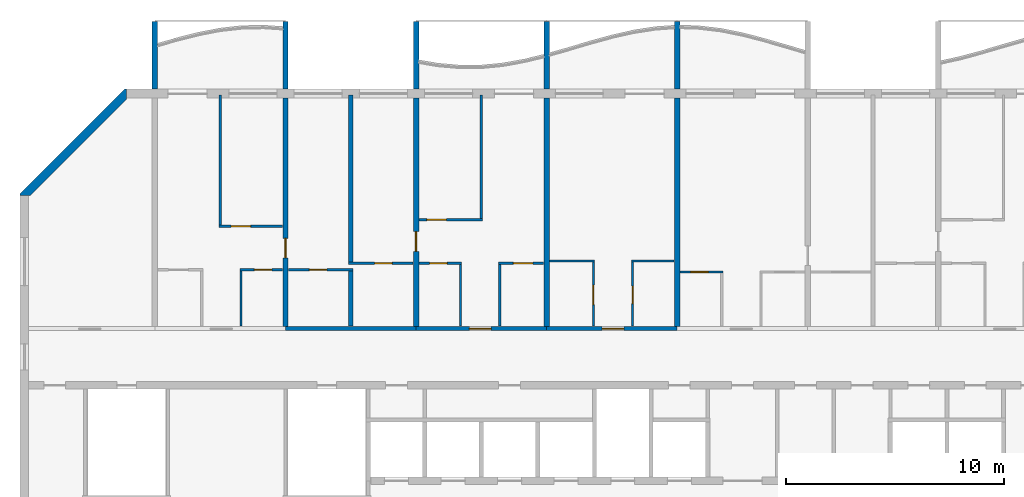
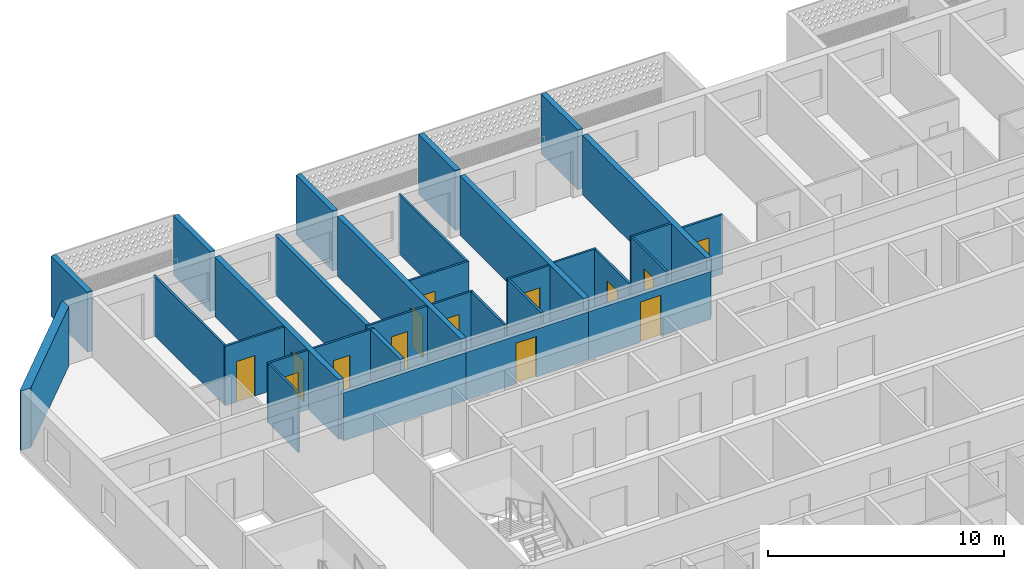
# One storey, part 8 of 29: 32 walls, 14 doors, 14 openings.
"""IFC4 building model written with IfcOpenShell, lengths in metres."""

from ifc_helpers import new_model, si_unit, direction, frame, frame_2d, origin, place, context, subcontext, project, spatial, polyline, rectangle, outline, extrude, source, transform, mapped, material, layer, layer_set, type_object, element, fill, save


model = new_model("IFC4")

# Units and contexts
model_context = context("Model", 3, precision=1e-05, world=origin(), true_north=direction((0.0, 1.0)))
body_context = subcontext(model_context, "Body", "Model", "MODEL_VIEW")
ifc_project = project(units=[si_unit("LENGTHUNIT", "METRE"), si_unit("AREAUNIT", "SQUARE_METRE"), si_unit("VOLUMEUNIT", "CUBIC_METRE"), si_unit("PLANEANGLEUNIT", "RADIAN"), si_unit("MASSUNIT", "GRAM", prefix="KILO")], contexts=[model_context])

# Site, building, storey
site_placement = place(None, origin())
site = spatial("IfcSite", under=ifc_project, at=site_placement, CompositionType="ELEMENT")
building_placement = place(site_placement, origin())
building = spatial("IfcBuilding", under=site, at=building_placement, Name="Poui Terraces", CompositionType="ELEMENT")
storey_placement = place(building_placement, frame((0.0, 0.0, 234.60009765625)))
storey = spatial("IfcBuildingStorey", under=building, at=storey_placement, Name="L65", CompositionType="ELEMENT", Elevation=234.60009765625)

# Wall
ifc_material_1 = material(Name="Concrete 50 MPa", Category="concrete")
ifc_layer_1 = layer(ifc_material_1, 0.199951171875)
ifc_layer_set_1 = layer_set([ifc_layer_1], Name="Concrete 50 MPa")
wall_type_1 = type_object("IfcWallType", Name="CORRIDOR WALL 200 50MPa", PredefinedType="SHEAR", material=ifc_layer_set_1)
wall_1_placement = place(storey_placement, frame((30.0, 30.39990234375, 0.0), z_axis=(0.0, 0.0, 1.0), x_axis=(1.0, 0.0, 0.0)))
element("IfcWall", 1, at=wall_1_placement, inside=storey, type_object=wall_type_1, Name="CORRIDOR WALL LINE E BAY 3", PredefinedType="SHEAR", context=body_context, shape_type="SweptSolid", body=[
    extrude(rectangle(XDim=6.0, YDim=0.199951171875, at=frame_2d((3.0, 0.0))), origin(), (0.0, 0.0, 1.0), 2.47998046875),
])

# Wall, opening, door
wall_2_placement = place(storey_placement, frame((36.0, 30.39990234375, 0.0), z_axis=(0.0, 0.0, 1.0), x_axis=(1.0, 0.0, 0.0)))
wall_2 = element("IfcWall", 2, at=wall_2_placement, inside=storey, type_object=wall_type_1, Name="CORRIDOR WALL LINE E BAY 4", PredefinedType="SHEAR", context=body_context, shape_type="SweptSolid", body=[
    extrude(rectangle(XDim=6.0, YDim=0.199951171875, at=frame_2d((3.0, 0.0))), origin(), (0.0, 0.0, 1.0), 2.47998046875),
])
opening_1_placement = place(wall_2_placement, frame((2.449951171875, 0.0, 0.0)))
opening_1 = element("IfcOpeningElement", 3, at=opening_1_placement, cuts=wall_2, Name="Opening FD30S", PredefinedType="OPENING", context=body_context, shape_type="SweptSolid", body=[
    extrude(rectangle(XDim=1.0, YDim=2.10009765625, at=frame_2d((0.5, 1.050048828125))), frame((0.0, 0.10986328125, 0.0), z_axis=(0.0, -1.0, 0.0), x_axis=(1.0, 0.0, 0.0)), (0.0, 0.0, 1.0), 0.219970703125),
])
ifc_material_2 = material(Name="Steel fire door", Category="steel")
door_type_1 = type_object("IfcDoorType", Name="FLAT ENTRANCE DOOR 1000 X 2100", OperationType="NOTDEFINED", PredefinedType="DOOR", material=ifc_material_2)
door_1_placement = place(opening_1_placement, origin())
door_1 = element("IfcDoor", 4, at=door_1_placement, inside=storey, type_object=door_type_1, Name="FLAT ENTRANCE DOOR 039", OperationType="SINGLE_SWING_LEFT", OverallHeight=2.10009765625, OverallWidth=1.0, PredefinedType="DOOR", context=body_context, shape_type="SweptSolid", body=[
    extrude(rectangle(XDim=1.0, YDim=2.10009765625, at=frame_2d((0.5, 1.050048828125))), frame((0.0, 0.02490234375, 0.0), z_axis=(0.0, -1.0, 0.0), x_axis=(1.0, 0.0, 0.0)), (0.0, 0.0, 1.0), 0.050048828125),
])
fill(opening_1, door_1)

wall_3_placement = place(storey_placement, frame((42.0, 30.39990234375, 0.0), z_axis=(0.0, 0.0, 1.0), x_axis=(1.0, 0.0, 0.0)))
wall_3 = element("IfcWall", 5, at=wall_3_placement, inside=storey, type_object=wall_type_1, Name="CORRIDOR WALL LINE E BAY 5", PredefinedType="SHEAR", context=body_context, shape_type="SweptSolid", body=[
    extrude(rectangle(XDim=6.0, YDim=0.199951171875, at=frame_2d((3.0, 0.0))), origin(), (0.0, 0.0, 1.0), 2.47998046875),
])
opening_2_placement = place(wall_3_placement, frame((2.550048828125, 0.0, 0.0)))
opening_2 = element("IfcOpeningElement", 6, at=opening_2_placement, cuts=wall_3, Name="Opening FD30S", PredefinedType="OPENING", context=body_context, shape_type="SweptSolid", body=[
    extrude(rectangle(XDim=1.0, YDim=2.10009765625, at=frame_2d((0.5, 1.050048828125))), frame((0.0, 0.10986328125, 0.0), z_axis=(0.0, -1.0, 0.0), x_axis=(1.0, 0.0, 0.0)), (0.0, 0.0, 1.0), 0.219970703125),
])
door_2_placement = place(opening_2_placement, origin())
door_2 = element("IfcDoor", 7, at=door_2_placement, inside=storey, type_object=door_type_1, Name="FLAT ENTRANCE DOOR 042", OperationType="SINGLE_SWING_RIGHT", OverallHeight=2.10009765625, OverallWidth=1.0, PredefinedType="DOOR", context=body_context, shape_type="SweptSolid", body=[
    extrude(rectangle(XDim=1.0, YDim=2.10009765625, at=frame_2d((0.5, 1.050048828125))), frame((0.0, 0.02490234375, 0.0), z_axis=(0.0, -1.0, 0.0), x_axis=(1.0, 0.0, 0.0)), (0.0, 0.0, 1.0), 0.050048828125),
])
fill(opening_2, door_2)

ifc_layer_2 = layer(ifc_material_1, 0.25)
ifc_layer_set_2 = layer_set([ifc_layer_2], Name="Concrete 50 MPa")
wall_type_2 = type_object("IfcWallType", Name="CROSS WALL 250 50MPa", PredefinedType="SHEAR", material=ifc_layer_set_2)
wall_4_placement = place(storey_placement, frame((30.0, 30.5, 0.0), z_axis=(0.0, 0.0, 1.0), x_axis=(0.0, 1.0, 0.0)))
wall_4 = element("IfcWall", 8, at=wall_4_placement, inside=storey, type_object=wall_type_2, Name="CROSS WALL LINE 6 NORTH", PredefinedType="SHEAR", context=body_context, shape_type="SweptSolid", body=[
    extrude(rectangle(XDim=10.5, YDim=0.25, at=frame_2d((5.25, 0.0))), origin(), (0.0, 0.0, 1.0), 3.079833984375),
])
opening_3_placement = place(wall_4_placement, frame((3.14990234375, 0.0, 0.0)))
opening_3 = element("IfcOpeningElement", 9, at=opening_3_placement, cuts=wall_4, Name="Opening D90", PredefinedType="OPENING", context=body_context, shape_type="SweptSolid", body=[
    extrude(rectangle(XDim=0.89990234375, YDim=2.10009765625, at=frame_2d((0.449951171875, 1.050048828125))), frame((0.0, 0.135009765625, 0.0), z_axis=(0.0, -1.0, 0.0), x_axis=(1.0, 0.0, 0.0)), (0.0, 0.0, 1.0), 0.27001953125),
])
ifc_material_3 = material(Name="Solid core timber door", Category="wood")
door_type_2 = type_object("IfcDoorType", Name="INTERNAL DOOR 900 X 2100", OperationType="NOTDEFINED", PredefinedType="DOOR", material=ifc_material_3)
door_3_placement = place(opening_3_placement, frame((0.89990234375, 0.0, 0.0), z_axis=(0.0, 0.0, 1.0), x_axis=(-1.0, 0.0, 0.0)))
door_3 = element("IfcDoor", 10, at=door_3_placement, inside=storey, type_object=door_type_2, Name="INTERNAL DOOR 034", OperationType="SINGLE_SWING_RIGHT", OverallHeight=2.10009765625, OverallWidth=0.89990234375, PredefinedType="DOOR", context=body_context, shape_type="SweptSolid", body=[
    extrude(rectangle(XDim=0.89990234375, YDim=2.10009765625, at=frame_2d((0.449951171875, 1.050048828125))), frame((0.0, 0.02490234375, 0.0), z_axis=(0.0, -1.0, 0.0), x_axis=(1.0, 0.0, 0.0)), (0.0, 0.0, 1.0), 0.050048828125),
])
fill(opening_3, door_3)

wall_5_placement = place(storey_placement, frame((36.0, 30.5, 0.0), z_axis=(0.0, 0.0, 1.0), x_axis=(0.0, 1.0, 0.0)))
wall_5 = element("IfcWall", 11, at=wall_5_placement, inside=storey, type_object=wall_type_2, Name="CROSS WALL LINE 7 NORTH", PredefinedType="SHEAR", context=body_context, shape_type="SweptSolid", body=[
    extrude(rectangle(XDim=10.5, YDim=0.25, at=frame_2d((5.25, 0.0))), origin(), (0.0, 0.0, 1.0), 3.079833984375),
])
opening_4_placement = place(wall_5_placement, frame((3.449951171875, 0.0, 0.0)))
opening_4 = element("IfcOpeningElement", 12, at=opening_4_placement, cuts=wall_5, Name="Opening D90", PredefinedType="OPENING", context=body_context, shape_type="SweptSolid", body=[
    extrude(rectangle(XDim=0.89990234375, YDim=2.10009765625, at=frame_2d((0.449951171875, 1.050048828125))), frame((0.0, 0.135009765625, 0.0), z_axis=(0.0, -1.0, 0.0), x_axis=(1.0, 0.0, 0.0)), (0.0, 0.0, 1.0), 0.27001953125),
])
door_4_placement = place(opening_4_placement, origin())
door_4 = element("IfcDoor", 13, at=door_4_placement, inside=storey, type_object=door_type_2, Name="INTERNAL DOOR 036", OperationType="SINGLE_SWING_LEFT", OverallHeight=2.10009765625, OverallWidth=0.89990234375, PredefinedType="DOOR", context=body_context, shape_type="SweptSolid", body=[
    extrude(rectangle(XDim=0.89990234375, YDim=2.10009765625, at=frame_2d((0.449951171875, 1.050048828125))), frame((0.0, 0.02490234375, 0.0), z_axis=(0.0, -1.0, 0.0), x_axis=(1.0, 0.0, 0.0)), (0.0, 0.0, 1.0), 0.050048828125),
])
fill(opening_4, door_4)

# Walls
for number, where, z_axis, x_axis, name in (
    (14, (42.0, 30.5, 0.0), (0.0, 0.0, 1.0), (0.0, 1.0, 0.0), "CROSS WALL LINE 8 NORTH"),
    (15, (48.0, 30.5, 0.0), (0.0, 0.0, 1.0), (0.0, 1.0, 0.0), "CROSS WALL LINE 9 NORTH"),
):
    element("IfcWall", number, at=place(storey_placement, frame(where, z_axis=z_axis, x_axis=x_axis)), inside=storey, type_object=wall_type_2, Name=name, PredefinedType="SHEAR", context=body_context, shape_type="SweptSolid", body=[
        extrude(rectangle(XDim=10.5, YDim=0.25, at=frame_2d((5.25, 0.0))), origin(), (0.0, 0.0, 1.0), 3.079833984375),
    ])

# Wall, opening, door
ifc_material_4 = material(Name="Plasterboard partition")
ifc_layer_3 = layer(ifc_material_4, 0.10009765625)
ifc_layer_set_3 = layer_set([ifc_layer_3], Name="Plasterboard partition")
wall_type_3 = type_object("IfcWallType", Name="FLAT PARTITION 100", PredefinedType="PARTITIONING", material=ifc_layer_set_3)
wall_6_placement = place(storey_placement, frame((48.135009765625, 33.0, 0.0), z_axis=(0.0, 0.0, 1.0), x_axis=(1.0, 0.0, 0.0)))
wall_6 = element("IfcWall", 16, at=wall_6_placement, inside=storey, type_object=wall_type_3, Name="FLAT PARTITION 100", PredefinedType="PARTITIONING", context=body_context, shape_type="SweptSolid", body=[
    extrude(rectangle(XDim=1.965087890625, YDim=0.10009765625, at=frame_2d((0.982421875, 0.0))), origin(), (0.0, 0.0, 1.0), 3.079833984375),
])
opening_5_placement = place(wall_6_placement, frame((0.489990234375, 0.0, 0.0)))
opening_5 = element("IfcOpeningElement", 17, at=opening_5_placement, cuts=wall_6, Name="Opening D80", PredefinedType="OPENING", context=body_context, shape_type="SweptSolid", body=[
    extrude(rectangle(XDim=0.800048828125, YDim=2.10009765625, at=frame_2d((0.39990234375, 1.050048828125))), frame((0.0, 0.06005859375, 0.0), z_axis=(0.0, -1.0, 0.0), x_axis=(1.0, 0.0, 0.0)), (0.0, 0.0, 1.0), 0.1201171875),
])
door_type_3 = type_object("IfcDoorType", Name="BATHROOM, LAUNDRY AND STORE DOOR 800 X 2100", OperationType="NOTDEFINED", PredefinedType="DOOR", material=ifc_material_3)
door_5_placement = place(opening_5_placement, frame((0.800048828125, 0.0, 0.0), z_axis=(0.0, 0.0, 1.0), x_axis=(-1.0, 0.0, 0.0)))
door_5 = element("IfcDoor", 18, at=door_5_placement, inside=storey, type_object=door_type_3, Name="BATHROOM, LAUNDRY AND STORE DOOR 045", OperationType="SINGLE_SWING_LEFT", OverallHeight=2.10009765625, OverallWidth=0.800048828125, PredefinedType="DOOR", context=body_context, shape_type="SweptSolid", body=[
    extrude(rectangle(XDim=0.800048828125, YDim=2.10009765625, at=frame_2d((0.39990234375, 1.050048828125))), frame((0.0, 0.02490234375, 0.0), z_axis=(0.0, -1.0, 0.0), x_axis=(1.0, 0.0, 0.0)), (0.0, 0.0, 1.0), 0.050048828125),
])
fill(opening_5, door_5)

wall_7_placement = place(storey_placement, frame((27.89990234375, 33.10009765625, 0.0), z_axis=(0.0, 0.0, 1.0), x_axis=(1.0, 0.0, 0.0)))
wall_7 = element("IfcWall", 19, at=wall_7_placement, inside=storey, type_object=wall_type_3, Name="FLAT PARTITION 100", PredefinedType="PARTITIONING", context=body_context, shape_type="SweptSolid", body=[
    extrude(rectangle(XDim=1.965087890625, YDim=0.10009765625, at=frame_2d((0.982421875, 0.0))), origin(), (0.0, 0.0, 1.0), 3.079833984375),
])
opening_6_placement = place(wall_7_placement, frame((0.675048828125, 0.0, 0.0)))
opening_6 = element("IfcOpeningElement", 20, at=opening_6_placement, cuts=wall_7, Name="Opening D80", PredefinedType="OPENING", context=body_context, shape_type="SweptSolid", body=[
    extrude(rectangle(XDim=0.800048828125, YDim=2.10009765625, at=frame_2d((0.39990234375, 1.050048828125))), frame((0.0, 0.06005859375, 0.0), z_axis=(0.0, -1.0, 0.0), x_axis=(1.0, 0.0, 0.0)), (0.0, 0.0, 1.0), 0.1201171875),
])
door_6_placement = place(opening_6_placement, frame((0.800048828125, 0.0, 0.0), z_axis=(0.0, 0.0, 1.0), x_axis=(-1.0, 0.0, 0.0)))
door_6 = element("IfcDoor", 21, at=door_6_placement, inside=storey, type_object=door_type_3, Name="BATHROOM, LAUNDRY AND STORE DOOR 033", OperationType="SINGLE_SWING_RIGHT", OverallHeight=2.10009765625, OverallWidth=0.800048828125, PredefinedType="DOOR", context=body_context, shape_type="SweptSolid", body=[
    extrude(rectangle(XDim=0.800048828125, YDim=2.10009765625, at=frame_2d((0.39990234375, 1.050048828125))), frame((0.0, 0.02490234375, 0.0), z_axis=(0.0, -1.0, 0.0), x_axis=(1.0, 0.0, 0.0)), (0.0, 0.0, 1.0), 0.050048828125),
])
fill(opening_6, door_6)

wall_8_placement = place(storey_placement, frame((30.135009765625, 33.10009765625, 0.0), z_axis=(0.0, 0.0, 1.0), x_axis=(1.0, 0.0, 0.0)))
wall_8 = element("IfcWall", 22, at=wall_8_placement, inside=storey, type_object=wall_type_3, Name="FLAT PARTITION 100", PredefinedType="PARTITIONING", context=body_context, shape_type="SweptSolid", body=[
    extrude(rectangle(XDim=2.965087890625, YDim=0.10009765625, at=frame_2d((1.482421875, 0.0))), origin(), (0.0, 0.0, 1.0), 3.079833984375),
])
opening_7_placement = place(wall_8_placement, frame((0.965087890625, 0.0, 0.0)))
opening_7 = element("IfcOpeningElement", 23, at=opening_7_placement, cuts=wall_8, Name="Opening D80", PredefinedType="OPENING", context=body_context, shape_type="SweptSolid", body=[
    extrude(rectangle(XDim=0.800048828125, YDim=2.10009765625, at=frame_2d((0.39990234375, 1.050048828125))), frame((0.0, 0.06005859375, 0.0), z_axis=(0.0, -1.0, 0.0), x_axis=(1.0, 0.0, 0.0)), (0.0, 0.0, 1.0), 0.1201171875),
])
door_7_placement = place(opening_7_placement, frame((0.800048828125, 0.0, 0.0), z_axis=(0.0, 0.0, 1.0), x_axis=(-1.0, 0.0, 0.0)))
door_7 = element("IfcDoor", 24, at=door_7_placement, inside=storey, type_object=door_type_3, Name="BATHROOM, LAUNDRY AND STORE DOOR 029", OperationType="SINGLE_SWING_LEFT", OverallHeight=2.10009765625, OverallWidth=0.800048828125, PredefinedType="DOOR", context=body_context, shape_type="SweptSolid", body=[
    extrude(rectangle(XDim=0.800048828125, YDim=2.10009765625, at=frame_2d((0.39990234375, 1.050048828125))), frame((0.0, 0.02490234375, 0.0), z_axis=(0.0, -1.0, 0.0), x_axis=(1.0, 0.0, 0.0)), (0.0, 0.0, 1.0), 0.050048828125),
])
fill(opening_7, door_7)

wall_9_placement = place(storey_placement, frame((32.89990234375, 33.39990234375, 0.0), z_axis=(0.0, 0.0, 1.0), x_axis=(1.0, 0.0, 0.0)))
wall_9 = element("IfcWall", 25, at=wall_9_placement, inside=storey, type_object=wall_type_3, Name="FLAT PARTITION 100", PredefinedType="PARTITIONING", context=body_context, shape_type="SweptSolid", body=[
    extrude(rectangle(XDim=2.965087890625, YDim=0.10009765625, at=frame_2d((1.482421875, 0.0))), origin(), (0.0, 0.0, 1.0), 3.079833984375),
])
opening_8_placement = place(wall_9_placement, frame((1.199951171875, 0.0, 0.0)))
opening_8 = element("IfcOpeningElement", 26, at=opening_8_placement, cuts=wall_9, Name="Opening D80", PredefinedType="OPENING", context=body_context, shape_type="SweptSolid", body=[
    extrude(rectangle(XDim=0.800048828125, YDim=2.10009765625, at=frame_2d((0.39990234375, 1.050048828125))), frame((0.0, 0.06005859375, 0.0), z_axis=(0.0, -1.0, 0.0), x_axis=(1.0, 0.0, 0.0)), (0.0, 0.0, 1.0), 0.1201171875),
])
door_8_placement = place(opening_8_placement, frame((0.800048828125, 0.0, 0.0), z_axis=(0.0, 0.0, 1.0), x_axis=(-1.0, 0.0, 0.0)))
door_8 = element("IfcDoor", 27, at=door_8_placement, inside=storey, type_object=door_type_3, Name="BATHROOM, LAUNDRY AND STORE DOOR 035", OperationType="SINGLE_SWING_RIGHT", OverallHeight=2.10009765625, OverallWidth=0.800048828125, PredefinedType="DOOR", context=body_context, shape_type="SweptSolid", body=[
    extrude(rectangle(XDim=0.800048828125, YDim=2.10009765625, at=frame_2d((0.39990234375, 1.050048828125))), frame((0.0, 0.02490234375, 0.0), z_axis=(0.0, -1.0, 0.0), x_axis=(1.0, 0.0, 0.0)), (0.0, 0.0, 1.0), 0.050048828125),
])
fill(opening_8, door_8)

wall_10_placement = place(storey_placement, frame((36.135009765625, 33.39990234375, 0.0), z_axis=(0.0, 0.0, 1.0), x_axis=(1.0, 0.0, 0.0)))
wall_10 = element("IfcWall", 28, at=wall_10_placement, inside=storey, type_object=wall_type_3, Name="FLAT PARTITION 100", PredefinedType="PARTITIONING", context=body_context, shape_type="SweptSolid", body=[
    extrude(rectangle(XDim=1.965087890625, YDim=0.10009765625, at=frame_2d((0.982421875, 0.0))), origin(), (0.0, 0.0, 1.0), 3.079833984375),
])
opening_9_placement = place(wall_10_placement, frame((0.489990234375, 0.0, 0.0)))
opening_9 = element("IfcOpeningElement", 29, at=opening_9_placement, cuts=wall_10, Name="Opening D80", PredefinedType="OPENING", context=body_context, shape_type="SweptSolid", body=[
    extrude(rectangle(XDim=0.800048828125, YDim=2.10009765625, at=frame_2d((0.39990234375, 1.050048828125))), frame((0.0, 0.06005859375, 0.0), z_axis=(0.0, -1.0, 0.0), x_axis=(1.0, 0.0, 0.0)), (0.0, 0.0, 1.0), 0.1201171875),
])
door_9_placement = place(opening_9_placement, frame((0.800048828125, 0.0, 0.0), z_axis=(0.0, 0.0, 1.0), x_axis=(-1.0, 0.0, 0.0)))
door_9 = element("IfcDoor", 30, at=door_9_placement, inside=storey, type_object=door_type_3, Name="BATHROOM, LAUNDRY AND STORE DOOR 038", OperationType="SINGLE_SWING_RIGHT", OverallHeight=2.10009765625, OverallWidth=0.800048828125, PredefinedType="DOOR", context=body_context, shape_type="SweptSolid", body=[
    extrude(rectangle(XDim=0.800048828125, YDim=2.10009765625, at=frame_2d((0.39990234375, 1.050048828125))), frame((0.0, 0.02490234375, 0.0), z_axis=(0.0, -1.0, 0.0), x_axis=(1.0, 0.0, 0.0)), (0.0, 0.0, 1.0), 0.050048828125),
])
fill(opening_9, door_9)

wall_11_placement = place(storey_placement, frame((39.800048828125, 33.39990234375, 0.0), z_axis=(0.0, 0.0, 1.0), x_axis=(1.0, 0.0, 0.0)))
wall_11 = element("IfcWall", 31, at=wall_11_placement, inside=storey, type_object=wall_type_3, Name="FLAT PARTITION 100", PredefinedType="PARTITIONING", context=body_context, shape_type="SweptSolid", body=[
    extrude(rectangle(XDim=2.06494140625, YDim=0.10009765625, at=frame_2d((1.032470703125, 0.0))), origin(), (0.0, 0.0, 1.0), 3.079833984375),
])
opening_10_placement = place(wall_11_placement, frame((0.675048828125, 0.0, 0.0)))
opening_10 = element("IfcOpeningElement", 32, at=opening_10_placement, cuts=wall_11, Name="Opening D90", PredefinedType="OPENING", context=body_context, shape_type="SweptSolid", body=[
    extrude(rectangle(XDim=0.89990234375, YDim=2.10009765625, at=frame_2d((0.449951171875, 1.050048828125))), frame((0.0, 0.06005859375, 0.0), z_axis=(0.0, -1.0, 0.0), x_axis=(1.0, 0.0, 0.0)), (0.0, 0.0, 1.0), 0.1201171875),
])
door_10_placement = place(opening_10_placement, frame((0.89990234375, 0.0, 0.0), z_axis=(0.0, 0.0, 1.0), x_axis=(-1.0, 0.0, 0.0)))
door_10 = element("IfcDoor", 33, at=door_10_placement, inside=storey, type_object=door_type_2, Name="INTERNAL DOOR 040", OperationType="SINGLE_SWING_LEFT", OverallHeight=2.10009765625, OverallWidth=0.89990234375, PredefinedType="DOOR", context=body_context, shape_type="SweptSolid", body=[
    extrude(rectangle(XDim=0.89990234375, YDim=2.10009765625, at=frame_2d((0.449951171875, 1.050048828125))), frame((0.0, 0.02490234375, 0.0), z_axis=(0.0, -1.0, 0.0), x_axis=(1.0, 0.0, 0.0)), (0.0, 0.0, 1.0), 0.050048828125),
])
fill(opening_10, door_10)

# Walls
wall_12_placement = place(storey_placement, frame((42.135009765625, 33.5, 0.0), z_axis=(0.0, 0.0, 1.0), x_axis=(1.0, 0.0, 0.0)))
element("IfcWall", 34, at=wall_12_placement, inside=storey, type_object=wall_type_3, Name="FLAT PARTITION 100", PredefinedType="PARTITIONING", context=body_context, shape_type="SweptSolid", body=[
    extrude(rectangle(XDim=2.06494140625, YDim=0.10009765625, at=frame_2d((1.032470703125, 0.0))), origin(), (0.0, 0.0, 1.0), 3.079833984375),
])
wall_13_placement = place(storey_placement, frame((45.89990234375, 33.5, 0.0), z_axis=(0.0, 0.0, 1.0), x_axis=(1.0, 0.0, 0.0)))
element("IfcWall", 35, at=wall_13_placement, inside=storey, type_object=wall_type_3, Name="FLAT PARTITION 100", PredefinedType="PARTITIONING", context=body_context, shape_type="SweptSolid", body=[
    extrude(rectangle(XDim=1.965087890625, YDim=0.10009765625, at=frame_2d((0.982421875, 0.0))), origin(), (0.0, 0.0, 1.0), 3.079833984375),
])

# Wall, opening, door
wall_14_placement = place(storey_placement, frame((26.949951171875, 35.10009765625, 0.0), z_axis=(0.0, 0.0, 1.0), x_axis=(1.0, 0.0, 0.0)))
wall_14 = element("IfcWall", 36, at=wall_14_placement, inside=storey, type_object=wall_type_3, Name="FLAT PARTITION 100", PredefinedType="PARTITIONING", context=body_context, shape_type="SweptSolid", body=[
    extrude(rectangle(XDim=2.9150390625, YDim=0.10009765625, at=frame_2d((1.45751953125, 0.0))), origin(), (0.0, 0.0, 1.0), 3.079833984375),
])
opening_11_placement = place(wall_14_placement, frame((0.550048828125, 0.0, 0.0)))
opening_11 = element("IfcOpeningElement", 37, at=opening_11_placement, cuts=wall_14, Name="Opening D90", PredefinedType="OPENING", context=body_context, shape_type="SweptSolid", body=[
    extrude(rectangle(XDim=0.89990234375, YDim=2.10009765625, at=frame_2d((0.449951171875, 1.050048828125))), frame((0.0, 0.06005859375, 0.0), z_axis=(0.0, -1.0, 0.0), x_axis=(1.0, 0.0, 0.0)), (0.0, 0.0, 1.0), 0.1201171875),
])
door_11_placement = place(opening_11_placement, frame((0.89990234375, 0.0, 0.0), z_axis=(0.0, 0.0, 1.0), x_axis=(-1.0, 0.0, 0.0)))
door_11 = element("IfcDoor", 38, at=door_11_placement, inside=storey, type_object=door_type_2, Name="INTERNAL DOOR 032", OperationType="SINGLE_SWING_LEFT", OverallHeight=2.10009765625, OverallWidth=0.89990234375, PredefinedType="DOOR", context=body_context, shape_type="SweptSolid", body=[
    extrude(rectangle(XDim=0.89990234375, YDim=2.10009765625, at=frame_2d((0.449951171875, 1.050048828125))), frame((0.0, 0.02490234375, 0.0), z_axis=(0.0, -1.0, 0.0), x_axis=(1.0, 0.0, 0.0)), (0.0, 0.0, 1.0), 0.050048828125),
])
fill(opening_11, door_11)

wall_15_placement = place(storey_placement, frame((36.135009765625, 35.39990234375, 0.0), z_axis=(0.0, 0.0, 1.0), x_axis=(1.0, 0.0, 0.0)))
wall_15 = element("IfcWall", 39, at=wall_15_placement, inside=storey, type_object=wall_type_3, Name="FLAT PARTITION 100", PredefinedType="PARTITIONING", context=body_context, shape_type="SweptSolid", body=[
    extrude(rectangle(XDim=2.9150390625, YDim=0.10009765625, at=frame_2d((1.45751953125, 0.0))), origin(), (0.0, 0.0, 1.0), 3.079833984375),
])
opening_12_placement = place(wall_15_placement, frame((0.364990234375, 0.0, 0.0)))
opening_12 = element("IfcOpeningElement", 40, at=opening_12_placement, cuts=wall_15, Name="Opening D90", PredefinedType="OPENING", context=body_context, shape_type="SweptSolid", body=[
    extrude(rectangle(XDim=0.89990234375, YDim=2.10009765625, at=frame_2d((0.449951171875, 1.050048828125))), frame((0.0, 0.06005859375, 0.0), z_axis=(0.0, -1.0, 0.0), x_axis=(1.0, 0.0, 0.0)), (0.0, 0.0, 1.0), 0.1201171875),
])
door_12_placement = place(opening_12_placement, frame((0.89990234375, 0.0, 0.0), z_axis=(0.0, 0.0, 1.0), x_axis=(-1.0, 0.0, 0.0)))
door_12 = element("IfcDoor", 41, at=door_12_placement, inside=storey, type_object=door_type_2, Name="INTERNAL DOOR 037", OperationType="SINGLE_SWING_LEFT", OverallHeight=2.10009765625, OverallWidth=0.89990234375, PredefinedType="DOOR", context=body_context, shape_type="SweptSolid", body=[
    extrude(rectangle(XDim=0.89990234375, YDim=2.10009765625, at=frame_2d((0.449951171875, 1.050048828125))), frame((0.0, 0.02490234375, 0.0), z_axis=(0.0, -1.0, 0.0), x_axis=(1.0, 0.0, 0.0)), (0.0, 0.0, 1.0), 0.050048828125),
])
fill(opening_12, door_12)

# Walls
wall_16_placement = place(storey_placement, frame((27.0, 35.14990234375, 0.0), z_axis=(0.0, 0.0, 1.0), x_axis=(0.0, 1.0, 0.0)))
element("IfcWall", 42, at=wall_16_placement, inside=storey, type_object=wall_type_3, Name="FLAT PARTITION 100", PredefinedType="PARTITIONING", context=body_context, shape_type="SweptSolid", body=[
    extrude(rectangle(XDim=5.989990234375, YDim=0.10009765625, at=frame_2d((2.9951171875, 0.0))), origin(), (0.0, 0.0, 1.0), 3.079833984375),
])
wall_17_placement = place(storey_placement, frame((27.949951171875, 30.510009765625, 0.0), z_axis=(0.0, 0.0, 1.0), x_axis=(0.0, 1.0, 0.0)))
element("IfcWall", 43, at=wall_17_placement, inside=storey, type_object=wall_type_3, Name="FLAT PARTITION 100", PredefinedType="PARTITIONING", context=body_context, shape_type="SweptSolid", body=[
    extrude(rectangle(XDim=2.5400390625, YDim=0.10009765625, at=frame_2d((1.27001953125, 0.0))), origin(), (0.0, 0.0, 1.0), 3.079833984375),
])
wall_18_placement = place(storey_placement, frame((38.050048828125, 30.510009765625, 0.0), z_axis=(0.0, 0.0, 1.0), x_axis=(0.0, 1.0, 0.0)))
element("IfcWall", 44, at=wall_18_placement, inside=storey, type_object=wall_type_3, Name="FLAT PARTITION 100", PredefinedType="PARTITIONING", context=body_context, shape_type="SweptSolid", body=[
    extrude(rectangle(XDim=2.840087890625, YDim=0.10009765625, at=frame_2d((1.419921875, 0.0))), origin(), (0.0, 0.0, 1.0), 3.079833984375),
])
wall_19_placement = place(storey_placement, frame((39.0, 35.449951171875, 0.0), z_axis=(0.0, 0.0, 1.0), x_axis=(0.0, 1.0, 0.0)))
element("IfcWall", 45, at=wall_19_placement, inside=storey, type_object=wall_type_3, Name="FLAT PARTITION 100", PredefinedType="PARTITIONING", context=body_context, shape_type="SweptSolid", body=[
    extrude(rectangle(XDim=5.68994140625, YDim=0.10009765625, at=frame_2d((2.844970703125, 0.0))), origin(), (0.0, 0.0, 1.0), 3.079833984375),
])
wall_20_placement = place(storey_placement, frame((39.85009765625, 30.510009765625, 0.0), z_axis=(0.0, 0.0, 1.0), x_axis=(0.0, 1.0, 0.0)))
element("IfcWall", 46, at=wall_20_placement, inside=storey, type_object=wall_type_3, Name="FLAT PARTITION 100", PredefinedType="PARTITIONING", context=body_context, shape_type="SweptSolid", body=[
    extrude(rectangle(XDim=2.840087890625, YDim=0.10009765625, at=frame_2d((1.419921875, 0.0))), origin(), (0.0, 0.0, 1.0), 3.079833984375),
])

# Wall, opening, door
wall_21_placement = place(storey_placement, frame((44.14990234375, 30.510009765625, 0.0), z_axis=(0.0, 0.0, 1.0), x_axis=(0.0, 1.0, 0.0)))
wall_21 = element("IfcWall", 47, at=wall_21_placement, inside=storey, type_object=wall_type_3, Name="FLAT PARTITION 100", PredefinedType="PARTITIONING", context=body_context, shape_type="SweptSolid", body=[
    extrude(rectangle(XDim=2.93994140625, YDim=0.10009765625, at=frame_2d((1.469970703125, 0.0))), origin(), (0.0, 0.0, 1.0), 3.079833984375),
])
opening_13_placement = place(wall_21_placement, frame((0.989990234375, 0.0, 0.0)))
opening_13 = element("IfcOpeningElement", 48, at=opening_13_placement, cuts=wall_21, Name="Opening D90", PredefinedType="OPENING", context=body_context, shape_type="SweptSolid", body=[
    extrude(rectangle(XDim=0.89990234375, YDim=2.10009765625, at=frame_2d((0.449951171875, 1.050048828125))), frame((0.0, 0.06005859375, 0.0), z_axis=(0.0, -1.0, 0.0), x_axis=(1.0, 0.0, 0.0)), (0.0, 0.0, 1.0), 0.1201171875),
])
door_13_placement = place(opening_13_placement, origin())
door_13 = element("IfcDoor", 49, at=door_13_placement, inside=storey, type_object=door_type_2, Name="INTERNAL DOOR 041", OperationType="SINGLE_SWING_LEFT", OverallHeight=2.10009765625, OverallWidth=0.89990234375, PredefinedType="DOOR", context=body_context, shape_type="SweptSolid", body=[
    extrude(rectangle(XDim=0.89990234375, YDim=2.10009765625, at=frame_2d((0.449951171875, 1.050048828125))), frame((0.0, 0.02490234375, 0.0), z_axis=(0.0, -1.0, 0.0), x_axis=(1.0, 0.0, 0.0)), (0.0, 0.0, 1.0), 0.050048828125),
])
fill(opening_13, door_13)

wall_22_placement = place(storey_placement, frame((45.949951171875, 30.510009765625, 0.0), z_axis=(0.0, 0.0, 1.0), x_axis=(0.0, 1.0, 0.0)))
wall_22 = element("IfcWall", 50, at=wall_22_placement, inside=storey, type_object=wall_type_3, Name="FLAT PARTITION 100", PredefinedType="PARTITIONING", context=body_context, shape_type="SweptSolid", body=[
    extrude(rectangle(XDim=2.93994140625, YDim=0.10009765625, at=frame_2d((1.469970703125, 0.0))), origin(), (0.0, 0.0, 1.0), 3.079833984375),
])
opening_14_placement = place(wall_22_placement, frame((1.0400390625, 0.0, 0.0)))
opening_14 = element("IfcOpeningElement", 51, at=opening_14_placement, cuts=wall_22, Name="Opening D80", PredefinedType="OPENING", context=body_context, shape_type="SweptSolid", body=[
    extrude(rectangle(XDim=0.800048828125, YDim=2.10009765625, at=frame_2d((0.39990234375, 1.050048828125))), frame((0.0, 0.06005859375, 0.0), z_axis=(0.0, -1.0, 0.0), x_axis=(1.0, 0.0, 0.0)), (0.0, 0.0, 1.0), 0.1201171875),
])
door_14_placement = place(opening_14_placement, frame((0.800048828125, 0.0, 0.0), z_axis=(0.0, 0.0, 1.0), x_axis=(-1.0, 0.0, 0.0)))
door_14 = element("IfcDoor", 52, at=door_14_placement, inside=storey, type_object=door_type_3, Name="BATHROOM, LAUNDRY AND STORE DOOR 043", OperationType="SINGLE_SWING_LEFT", OverallHeight=2.10009765625, OverallWidth=0.800048828125, PredefinedType="DOOR", context=body_context, shape_type="SweptSolid", body=[
    extrude(rectangle(XDim=0.800048828125, YDim=2.10009765625, at=frame_2d((0.39990234375, 1.050048828125))), frame((0.0, 0.02490234375, 0.0), z_axis=(0.0, -1.0, 0.0), x_axis=(1.0, 0.0, 0.0)), (0.0, 0.0, 1.0), 0.050048828125),
])
fill(opening_14, door_14)

# Walls
ifc_material_5 = material(Name="Fire-rated masonry wall", Category="masonry")
ifc_layer_4 = layer(ifc_material_5, 0.199951171875)
ifc_layer_set_4 = layer_set([ifc_layer_4], Name="Fire-rated masonry wall")
wall_type_4 = type_object("IfcWallType", Name="FLAT PARTY WALL 200", PredefinedType="PARTITIONING", material=ifc_layer_set_4)
wall_23_placement = place(storey_placement, frame((33.0, 30.510009765625, 0.0), z_axis=(0.0, 0.0, 1.0), x_axis=(0.0, 1.0, 0.0)))
element("IfcWall", 53, at=wall_23_placement, inside=storey, type_object=wall_type_4, Name="FLAT PARTY WALL 200", PredefinedType="PARTITIONING", context=body_context, shape_type="SweptSolid", body=[
    extrude(rectangle(XDim=2.5400390625, YDim=0.199951171875, at=frame_2d((1.27001953125, 0.0))), origin(), (0.0, 0.0, 1.0), 3.079833984375),
])
wall_24_placement = place(storey_placement, frame((33.0, 33.449951171875, 0.0), z_axis=(0.0, 0.0, 1.0), x_axis=(0.0, 1.0, 0.0)))
element("IfcWall", 54, at=wall_24_placement, inside=storey, type_object=wall_type_4, Name="FLAT PARTY WALL 200", PredefinedType="PARTITIONING", context=body_context, shape_type="SweptSolid", body=[
    extrude(rectangle(XDim=7.68994140625, YDim=0.199951171875, at=frame_2d((3.844970703125, 0.0))), origin(), (0.0, 0.0, 1.0), 3.079833984375),
])
ifc_material_6 = material(Name="Precast concrete 40 MPa", Category="concrete")
ifc_layer_5 = layer(ifc_material_6, 0.39990234375)
ifc_layer_set_5 = layer_set([ifc_layer_5], Name="Precast concrete 40 MPa")
wall_type_5 = type_object("IfcWallType", Name="TERRACOTTA CLAD CHAMFER WALL 400", PredefinedType="STANDARD", material=ifc_layer_set_5)
wall_25_placement = place(storey_placement, origin())
element("IfcWall", 55, at=wall_25_placement, inside=storey, type_object=wall_type_5, Name="CHAMFER WALL CH05", PredefinedType="STANDARD", context=body_context, shape_type="SweptSolid", body=[
    extrude(outline(polyline([(22.682861328125, 41.39990234375), (22.60009765625, 41.39990234375), (17.800048828125, 36.60009765625), (17.800048828125, 36.51708984375), (18.28271484375, 36.51708984375), (22.682861328125, 40.917236328125), (22.682861328125, 41.39990234375)])), origin(), (0.0, 0.0, 1.0), 3.079833984375),
])
ifc_layer_6 = layer(ifc_material_6, 0.25)
ifc_layer_set_6 = layer_set([ifc_layer_6], Name="Precast concrete 40 MPa")
wall_type_6 = type_object("IfcWallType", Name="BALCONY FIN 250", PredefinedType="STANDARD", material=ifc_layer_set_6)
shared_shape = source(origin(), body_context, "Body", "SweptSolid", [
    extrude(outline(polyline([(0.0, 0.0), (0.25, 0.0), (0.25, 3.10009765625), (0.0, 3.10009765625), (0.0, 0.0)])), origin(), (0.0, 0.0, 1.0), 3.099853515625),
])
for number, where, name in (
    (56, (23.875, 41.39990234375, 0.0), "BALCONY FIN"),
    (57, (29.875, 41.39990234375, 0.0), "BALCONY FIN"),
    (58, (35.875, 41.39990234375, 0.0), "BALCONY FIN"),
    (59, (41.875, 41.39990234375, 0.0), "BALCONY FIN"),
    (60, (47.875, 41.39990234375, 0.0), "BALCONY FIN"),
):
    element("IfcWall", number, at=place(storey_placement, frame(where)), inside=storey, type_object=wall_type_6, Name=name, PredefinedType="STANDARD", context=body_context, shape_type="MappedRepresentation", body=[
        mapped(shared_shape, transform((0.0, 0.0, 0.0))),
    ])

save(model, "model.ifc")
